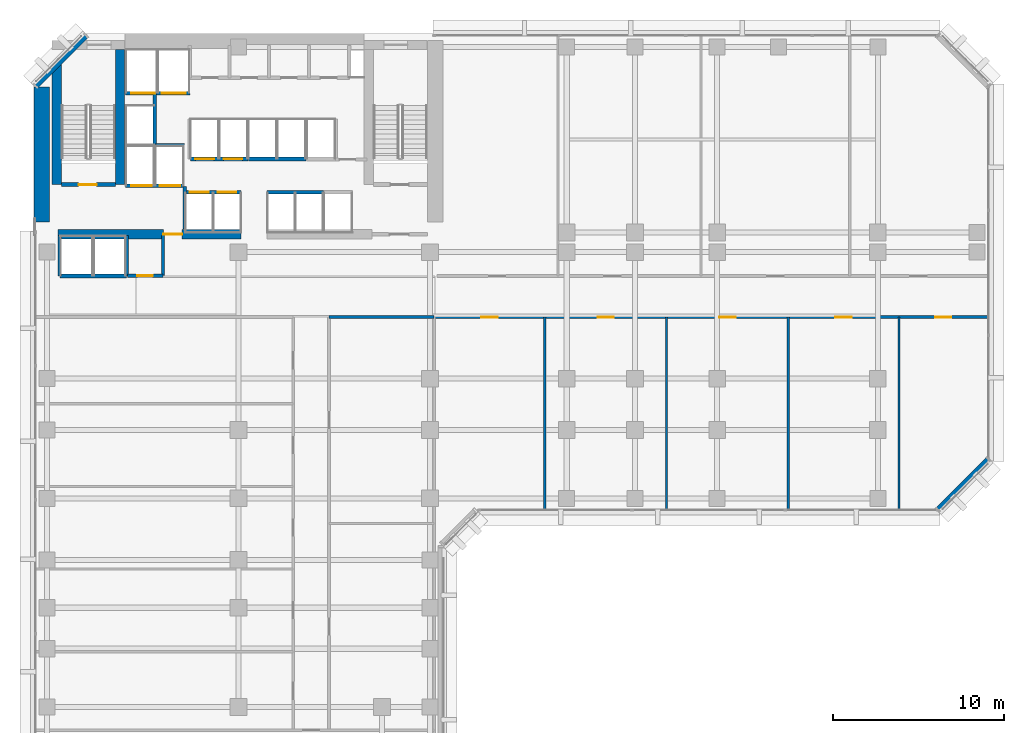
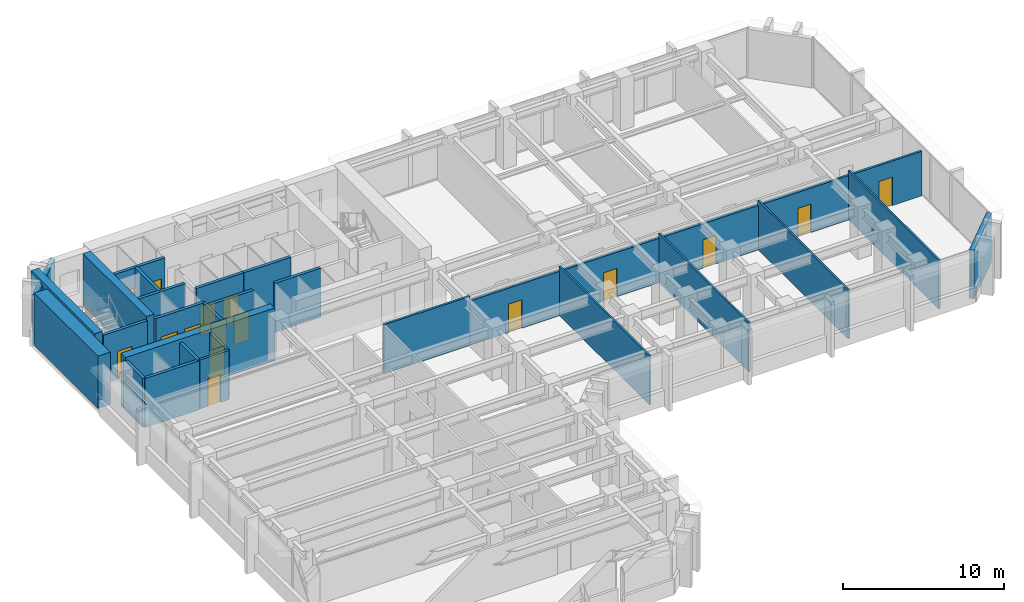
# One storey, part 7 of 14: 27 walls, 16 doors, 16 openings.
"""IFC4 building model written with IfcOpenShell, lengths in metres."""

from ifc_helpers import new_model, si_unit, direction, frame, frame_2d, origin, place, context, subcontext, project, spatial, rectangle, extrude, material, layer, layer_set, type_object, element, fill, save


model = new_model("IFC4")

# Units and contexts
model_context = context("Model", 3, precision=1e-05, world=origin(), true_north=direction((0.0, 1.0)))
body_context = subcontext(model_context, "Body", "Model", "MODEL_VIEW")
ifc_project = project(units=[si_unit("LENGTHUNIT", "METRE"), si_unit("AREAUNIT", "SQUARE_METRE"), si_unit("VOLUMEUNIT", "CUBIC_METRE"), si_unit("PLANEANGLEUNIT", "RADIAN"), si_unit("MASSUNIT", "GRAM", prefix="KILO")], contexts=[model_context])

# Site, building, storey
site_placement = place(None, origin())
site = spatial("IfcSite", under=ifc_project, at=site_placement, CompositionType="ELEMENT")
building_placement = place(site_placement, origin())
building = spatial("IfcBuilding", under=site, at=building_placement, Name="Kefirva Bronze Tower", CompositionType="ELEMENT")
storey_placement = place(building_placement, frame((0.0, 0.0, 66.0)))
storey = spatial("IfcBuildingStorey", under=building, at=storey_placement, Name="L15", CompositionType="ELEMENT", Elevation=66.0)

# Walls
ifc_material_1 = material(Name="Gypsum acoustic partition")
ifc_layer_1 = layer(ifc_material_1, 0.1298828125, Name="Gypsum acoustic partition")
ifc_layer_set_1 = layer_set([ifc_layer_1], Name="Gypsum acoustic partition")
wall_type_1 = type_object("IfcWallType", Name="Acoustic Office Partition 130mm", PredefinedType="PARTITIONING", material=ifc_layer_set_1)
for number, where, z_axis, x_axis, name in (
    (1, (29.922119140625, 18.18994140625, 0.0), (0.0, 0.0, 1.0), (0.0, 1.0, 0.0), "L15 Partition W-L15-ESD1"),
    (2, (37.041259765625, 18.18994140625, 0.0), (0.0, 0.0, 1.0), (0.0, 1.0, 0.0), "L15 Partition W-L15-ESD2"),
    (3, (44.160400390625, 18.18994140625, 0.0), (0.0, 0.0, 1.0), (0.0, 1.0, 0.0), "L15 Partition W-L15-ESD3"),
    (4, (50.63232421875, 18.18994140625, 0.0), (0.0, 0.0, 1.0), (0.0, 1.0, 0.0), "L15 Partition W-L15-ESD4"),
):
    element("IfcWall", number, at=place(storey_placement, frame(where, z_axis=z_axis, x_axis=x_axis)), inside=storey, type_object=wall_type_1, Name=name, PredefinedType="PARTITIONING", context=body_context, shape_type="SweptSolid", body=[
        extrude(rectangle(XDim=11.2099609375, YDim=0.1298828125, at=frame_2d((5.60498046875, 0.0))), origin(), (0.0, 0.0, 1.0), 3.7099609375),
    ])

# Wall, opening, door
ifc_material_2 = material(Name="Gypsum fireboard shaftwall")
ifc_layer_2 = layer(ifc_material_2, 0.219970703125, Name="Gypsum fireboard shaftwall")
ifc_layer_set_2 = layer_set([ifc_layer_2], Name="Gypsum fireboard shaftwall")
wall_type_2 = type_object("IfcWallType", Name="Fire-Rated Shaft Enclosure Wall 220mm", PredefinedType="PARTITIONING", material=ifc_layer_set_2)
wall_1_placement = place(storey_placement, frame((1.64990234375, 37.14990234375, 0.0), z_axis=(0.0, 0.0, 1.0), x_axis=(1.0, 0.0, 0.0)))
wall_1 = element("IfcWall", 5, at=wall_1_placement, inside=storey, type_object=wall_type_2, Name="L15 Partition W-L15-ST1S", PredefinedType="PARTITIONING", context=body_context, shape_type="SweptSolid", body=[
    extrude(rectangle(XDim=3.150146484375, YDim=0.219970703125, at=frame_2d((1.5751953125, 0.0))), origin(), (0.0, 0.0, 1.0), 3.7099609375),
])
opening_1_placement = place(wall_1_placement, frame((2.050048828125, 0.0, 0.0), z_axis=(0.0, 0.0, 1.0), x_axis=(-1.0, 0.0, 0.0)))
opening_1 = element("IfcOpeningElement", 6, at=opening_1_placement, cuts=wall_1, Name="Opening L15-D001", PredefinedType="OPENING", context=body_context, shape_type="SweptSolid", body=[
    extrude(rectangle(XDim=1.050048828125, YDim=2.14990234375, at=frame_2d((0.52490234375, 1.074951171875))), frame((0.0, 0.1201171875, 0.0), z_axis=(0.0, -1.0, 0.0), x_axis=(1.0, 0.0, 0.0)), (0.0, 0.0, 1.0), 0.239990234375),
])
ifc_material_3 = material(Name="Painted galvanized steel", Category="steel")
door_type_1 = type_object("IfcDoorType", Name="Fire Stair Enclosure Door 1050x2150 FD90S", OperationType="NOTDEFINED", PredefinedType="DOOR", material=ifc_material_3)
door_1_placement = place(opening_1_placement, origin())
door_1 = element("IfcDoor", 7, at=door_1_placement, inside=storey, type_object=door_type_1, Name="Door L15-D001", OperationType="SINGLE_SWING_LEFT", OverallHeight=2.14990234375, OverallWidth=1.050048828125, PredefinedType="DOOR", context=body_context, shape_type="SweptSolid", body=[
    extrude(rectangle(XDim=1.050048828125, YDim=2.14990234375, at=frame_2d((0.52490234375, 1.074951171875))), frame((0.0, 0.02490234375, 0.0), z_axis=(0.0, -1.0, 0.0), x_axis=(1.0, 0.0, 0.0)), (0.0, 0.0, 1.0), 0.050048828125),
])
fill(opening_1, door_1)

# Wall, openings, doors
wall_2_placement = place(storey_placement, frame((5.3798828125, 37.080078125, 0.0), z_axis=(0.0, 0.0, 1.0), x_axis=(1.0, 0.0, 0.0)))
wall_2 = element("IfcWall", 8, at=wall_2_placement, inside=storey, type_object=wall_type_2, Name="L15 Partition W-L15-FFS", PredefinedType="PARTITIONING", context=body_context, shape_type="SweptSolid", body=[
    extrude(rectangle(XDim=3.460205078125, YDim=0.219970703125, at=frame_2d((1.72998046875, 0.0))), origin(), (0.0, 0.0, 1.0), 3.7099609375),
])
opening_2_placement = place(wall_2_placement, frame((1.550048828125, 0.0, 0.0), z_axis=(0.0, 0.0, 1.0), x_axis=(-1.0, 0.0, 0.0)))
opening_2 = element("IfcOpeningElement", 9, at=opening_2_placement, cuts=wall_2, Name="Opening L15-LD-FF1", PredefinedType="OPENING", context=body_context, shape_type="SweptSolid", body=[
    extrude(rectangle(XDim=1.199951171875, YDim=2.199951171875, at=frame_2d((0.60009765625, 1.10009765625))), frame((0.0, 0.1201171875, 0.0), z_axis=(0.0, -1.0, 0.0), x_axis=(1.0, 0.0, 0.0)), (0.0, 0.0, 1.0), 0.239990234375),
])
opening_3_placement = place(wall_2_placement, frame((3.219970703125, 0.0, 0.0), z_axis=(0.0, 0.0, 1.0), x_axis=(-1.0, 0.0, 0.0)))
opening_3 = element("IfcOpeningElement", 10, at=opening_3_placement, cuts=wall_2, Name="Opening L15-LD-FF2", PredefinedType="OPENING", context=body_context, shape_type="SweptSolid", body=[
    extrude(rectangle(XDim=1.199951171875, YDim=2.199951171875, at=frame_2d((0.60009765625, 1.10009765625))), frame((0.0, 0.1201171875, 0.0), z_axis=(0.0, -1.0, 0.0), x_axis=(1.0, 0.0, 0.0)), (0.0, 0.0, 1.0), 0.239990234375),
])
ifc_material_4 = material(Name="Stainless steel 316", Category="steel")
door_type_2 = type_object("IfcDoorType", Name="Firefighting Lift Sliding Door 1200x2200", OperationType="SLIDING_TO_RIGHT", PredefinedType="DOOR", material=ifc_material_4)
door_2_placement = place(opening_2_placement, origin())
door_2 = element("IfcDoor", 11, at=door_2_placement, inside=storey, type_object=door_type_2, Name="Door L15-LD-FF1", OperationType="SLIDING_TO_RIGHT", OverallHeight=2.199951171875, OverallWidth=1.199951171875, PredefinedType="DOOR", context=body_context, shape_type="SweptSolid", body=[
    extrude(rectangle(XDim=1.199951171875, YDim=2.199951171875, at=frame_2d((0.60009765625, 1.10009765625))), frame((0.0, 0.02490234375, 0.0), z_axis=(0.0, -1.0, 0.0), x_axis=(1.0, 0.0, 0.0)), (0.0, 0.0, 1.0), 0.050048828125),
])
fill(opening_2, door_2)
door_3_placement = place(opening_3_placement, origin())
door_3 = element("IfcDoor", 12, at=door_3_placement, inside=storey, type_object=door_type_2, Name="Door L15-LD-FF2", OperationType="SLIDING_TO_RIGHT", OverallHeight=2.199951171875, OverallWidth=1.199951171875, PredefinedType="DOOR", context=body_context, shape_type="SweptSolid", body=[
    extrude(rectangle(XDim=1.199951171875, YDim=2.199951171875, at=frame_2d((0.60009765625, 1.10009765625))), frame((0.0, 0.02490234375, 0.0), z_axis=(0.0, -1.0, 0.0), x_axis=(1.0, 0.0, 0.0)), (0.0, 0.0, 1.0), 0.050048828125),
])
fill(opening_3, door_3)

# Wall
wall_3_placement = place(storey_placement, frame((5.3798828125, 39.449951171875, 0.0), z_axis=(0.0, 0.0, 1.0), x_axis=(1.0, 0.0, 0.0)))
element("IfcWall", 13, at=wall_3_placement, inside=storey, type_object=wall_type_2, Name="L15 Partition W-L15-FFN", PredefinedType="PARTITIONING", context=body_context, shape_type="SweptSolid", body=[
    extrude(rectangle(XDim=3.460205078125, YDim=0.219970703125, at=frame_2d((1.72998046875, 0.0))), origin(), (0.0, 0.0, 1.0), 3.7099609375),
])

# Wall, openings, doors
wall_4_placement = place(storey_placement, frame((5.3798828125, 42.5, 0.0), z_axis=(0.0, 0.0, 1.0), x_axis=(1.0, 0.0, 0.0)))
wall_4 = element("IfcWall", 14, at=wall_4_placement, inside=storey, type_object=wall_type_2, Name="L15 Partition W-L15-SVS", PredefinedType="PARTITIONING", context=body_context, shape_type="SweptSolid", body=[
    extrude(rectangle(XDim=3.77001953125, YDim=0.219970703125, at=frame_2d((1.885009765625, 0.0))), origin(), (0.0, 0.0, 1.0), 3.7099609375),
])
opening_4_placement = place(wall_4_placement, frame((1.75, 0.0, 0.0), z_axis=(0.0, 0.0, 1.0), x_axis=(-1.0, 0.0, 0.0)))
opening_4 = element("IfcOpeningElement", 15, at=opening_4_placement, cuts=wall_4, Name="Opening L15-LD-SV1", PredefinedType="OPENING", context=body_context, shape_type="SweptSolid", body=[
    extrude(rectangle(XDim=1.39990234375, YDim=2.199951171875, at=frame_2d((0.699951171875, 1.10009765625))), frame((0.0, 0.1201171875, 0.0), z_axis=(0.0, -1.0, 0.0), x_axis=(1.0, 0.0, 0.0)), (0.0, 0.0, 1.0), 0.239990234375),
])
opening_5_placement = place(wall_4_placement, frame((3.52978515625, 0.0, 0.0), z_axis=(0.0, 0.0, 1.0), x_axis=(-1.0, 0.0, 0.0)))
opening_5 = element("IfcOpeningElement", 16, at=opening_5_placement, cuts=wall_4, Name="Opening L15-LD-SV2", PredefinedType="OPENING", context=body_context, shape_type="SweptSolid", body=[
    extrude(rectangle(XDim=1.39990234375, YDim=2.199951171875, at=frame_2d((0.699951171875, 1.10009765625))), frame((0.0, 0.1201171875, 0.0), z_axis=(0.0, -1.0, 0.0), x_axis=(1.0, 0.0, 0.0)), (0.0, 0.0, 1.0), 0.239990234375),
])
door_type_3 = type_object("IfcDoorType", Name="Goods Lift Bi-Parting Sliding Door 1400x2200", OperationType="SLIDING_TO_LEFT", PredefinedType="DOOR", material=ifc_material_4)
door_4_placement = place(opening_4_placement, origin())
door_4 = element("IfcDoor", 17, at=door_4_placement, inside=storey, type_object=door_type_3, Name="Door L15-LD-SV1", OperationType="SLIDING_TO_LEFT", OverallHeight=2.199951171875, OverallWidth=1.39990234375, PredefinedType="DOOR", context=body_context, shape_type="SweptSolid", body=[
    extrude(rectangle(XDim=1.39990234375, YDim=2.199951171875, at=frame_2d((0.699951171875, 1.10009765625))), frame((0.0, 0.02490234375, 0.0), z_axis=(0.0, -1.0, 0.0), x_axis=(1.0, 0.0, 0.0)), (0.0, 0.0, 1.0), 0.050048828125),
])
fill(opening_4, door_4)
door_5_placement = place(opening_5_placement, origin())
door_5 = element("IfcDoor", 18, at=door_5_placement, inside=storey, type_object=door_type_3, Name="Door L15-LD-SV2", OperationType="SLIDING_TO_LEFT", OverallHeight=2.199951171875, OverallWidth=1.39990234375, PredefinedType="DOOR", context=body_context, shape_type="SweptSolid", body=[
    extrude(rectangle(XDim=1.39990234375, YDim=2.199951171875, at=frame_2d((0.699951171875, 1.10009765625))), frame((0.0, 0.02490234375, 0.0), z_axis=(0.0, -1.0, 0.0), x_axis=(1.0, 0.0, 0.0)), (0.0, 0.0, 1.0), 0.050048828125),
])
fill(opening_5, door_5)

# Walls
wall_5_placement = place(storey_placement, frame((7.10009765625, 39.52001953125, 0.0), z_axis=(0.0, 0.0, 1.0), x_axis=(0.0, 1.0, 0.0)))
element("IfcWall", 19, at=wall_5_placement, inside=storey, type_object=wall_type_2, Name="L15 Partition W-L15-HP3E", PredefinedType="PARTITIONING", context=body_context, shape_type="SweptSolid", body=[
    extrude(rectangle(XDim=2.929931640625, YDim=0.219970703125, at=frame_2d((1.46484375, 0.0))), origin(), (0.0, 0.0, 1.0), 3.7099609375),
])
wall_6_placement = place(storey_placement, frame((1.550048828125, 31.800048828125, 0.0), z_axis=(0.0, 0.0, 1.0), x_axis=(1.0, 0.0, 0.0)))
element("IfcWall", 20, at=wall_6_placement, inside=storey, type_object=wall_type_2, Name="L15 Partition W-L15-OBS", PredefinedType="PARTITIONING", context=body_context, shape_type="SweptSolid", body=[
    extrude(rectangle(XDim=3.89990234375, YDim=0.219970703125, at=frame_2d((1.949951171875, 0.0))), origin(), (0.0, 0.0, 1.0), 3.7099609375),
])
for number, where, z_axis, x_axis, name in (
    (21, (1.550048828125, 31.800048828125, 0.0), (0.0, 0.0, 1.0), (0.0, 1.0, 0.0), "L15 Partition W-L15-OBW"),
    (22, (5.449951171875, 31.800048828125, 0.0), (0.0, 0.0, 1.0), (0.0, 1.0, 0.0), "L15 Partition W-L15-OBE"),
):
    element("IfcWall", number, at=place(storey_placement, frame(where, z_axis=z_axis, x_axis=x_axis)), inside=storey, type_object=wall_type_2, Name=name, PredefinedType="PARTITIONING", context=body_context, shape_type="SweptSolid", body=[
        extrude(rectangle(XDim=2.3798828125, YDim=0.219970703125, at=frame_2d((1.18994140625, 0.0))), origin(), (0.0, 0.0, 1.0), 3.7099609375),
    ])

# Wall, openings, doors
wall_7_placement = place(storey_placement, frame((8.89990234375, 36.699951171875, 0.0), z_axis=(0.0, 0.0, 1.0), x_axis=(1.0, 0.0, 0.0)))
wall_7 = element("IfcWall", 23, at=wall_7_placement, inside=storey, type_object=wall_type_2, Name="L15 Partition W-L15-LPS", PredefinedType="PARTITIONING", context=body_context, shape_type="SweptSolid", body=[
    extrude(rectangle(XDim=3.260009765625, YDim=0.219970703125, at=frame_2d((1.6298828125, 0.0))), origin(), (0.0, 0.0, 1.0), 3.7099609375),
])
opening_6_placement = place(wall_7_placement, frame((0.260009765625, 0.0, 0.0)))
opening_6 = element("IfcOpeningElement", 24, at=opening_6_placement, cuts=wall_7, Name="Opening L15-LD-LP1", PredefinedType="OPENING", context=body_context, shape_type="SweptSolid", body=[
    extrude(rectangle(XDim=1.10009765625, YDim=2.199951171875, at=frame_2d((0.550048828125, 1.10009765625))), frame((0.0, 0.1201171875, 0.0), z_axis=(0.0, -1.0, 0.0), x_axis=(1.0, 0.0, 0.0)), (0.0, 0.0, 1.0), 0.239990234375),
])
opening_7_placement = place(wall_7_placement, frame((1.8798828125, 0.0, 0.0)))
opening_7 = element("IfcOpeningElement", 25, at=opening_7_placement, cuts=wall_7, Name="Opening L15-LD-LP2", PredefinedType="OPENING", context=body_context, shape_type="SweptSolid", body=[
    extrude(rectangle(XDim=1.10009765625, YDim=2.199951171875, at=frame_2d((0.550048828125, 1.10009765625))), frame((0.0, 0.1201171875, 0.0), z_axis=(0.0, -1.0, 0.0), x_axis=(1.0, 0.0, 0.0)), (0.0, 0.0, 1.0), 0.239990234375),
])
door_type_4 = type_object("IfcDoorType", Name="Passenger Lift Sliding Landing Door 1100x2200", OperationType="SLIDING_TO_LEFT", PredefinedType="DOOR", material=ifc_material_4)
door_6_placement = place(opening_6_placement, origin())
door_6 = element("IfcDoor", 26, at=door_6_placement, inside=storey, type_object=door_type_4, Name="Door L15-LD-LP1", OperationType="SLIDING_TO_LEFT", OverallHeight=2.199951171875, OverallWidth=1.10009765625, PredefinedType="DOOR", context=body_context, shape_type="SweptSolid", body=[
    extrude(rectangle(XDim=1.10009765625, YDim=2.199951171875, at=frame_2d((0.550048828125, 1.10009765625))), frame((0.0, 0.02490234375, 0.0), z_axis=(0.0, -1.0, 0.0), x_axis=(1.0, 0.0, 0.0)), (0.0, 0.0, 1.0), 0.050048828125),
])
fill(opening_6, door_6)
door_7_placement = place(opening_7_placement, origin())
door_7 = element("IfcDoor", 27, at=door_7_placement, inside=storey, type_object=door_type_4, Name="Door L15-LD-LP2", OperationType="SLIDING_TO_LEFT", OverallHeight=2.199951171875, OverallWidth=1.10009765625, PredefinedType="DOOR", context=body_context, shape_type="SweptSolid", body=[
    extrude(rectangle(XDim=1.10009765625, YDim=2.199951171875, at=frame_2d((0.550048828125, 1.10009765625))), frame((0.0, 0.02490234375, 0.0), z_axis=(0.0, -1.0, 0.0), x_axis=(1.0, 0.0, 0.0)), (0.0, 0.0, 1.0), 0.050048828125),
])
fill(opening_7, door_7)

wall_8_placement = place(storey_placement, frame((9.179931640625, 38.64990234375, 0.0), z_axis=(0.0, 0.0, 1.0), x_axis=(1.0, 0.0, 0.0)))
wall_8 = element("IfcWall", 28, at=wall_8_placement, inside=storey, type_object=wall_type_2, Name="L15 Partition W-L15-LPN", PredefinedType="PARTITIONING", context=body_context, shape_type="SweptSolid", body=[
    extrude(rectangle(XDim=3.380126953125, YDim=0.219970703125, at=frame_2d((1.68994140625, 0.0))), origin(), (0.0, 0.0, 1.0), 3.7099609375),
])
opening_8_placement = place(wall_8_placement, frame((0.300048828125, 0.0, 0.0)))
opening_8 = element("IfcOpeningElement", 29, at=opening_8_placement, cuts=wall_8, Name="Opening L15-LD-LP3", PredefinedType="OPENING", context=body_context, shape_type="SweptSolid", body=[
    extrude(rectangle(XDim=1.10009765625, YDim=2.199951171875, at=frame_2d((0.550048828125, 1.10009765625))), frame((0.0, 0.1201171875, 0.0), z_axis=(0.0, -1.0, 0.0), x_axis=(1.0, 0.0, 0.0)), (0.0, 0.0, 1.0), 0.239990234375),
])
opening_9_placement = place(wall_8_placement, frame((1.949951171875, 0.0, 0.0)))
opening_9 = element("IfcOpeningElement", 30, at=opening_9_placement, cuts=wall_8, Name="Opening L15-LD-LP4", PredefinedType="OPENING", context=body_context, shape_type="SweptSolid", body=[
    extrude(rectangle(XDim=1.10009765625, YDim=2.199951171875, at=frame_2d((0.550048828125, 1.10009765625))), frame((0.0, 0.1201171875, 0.0), z_axis=(0.0, -1.0, 0.0), x_axis=(1.0, 0.0, 0.0)), (0.0, 0.0, 1.0), 0.239990234375),
])
door_8_placement = place(opening_8_placement, origin())
door_8 = element("IfcDoor", 31, at=door_8_placement, inside=storey, type_object=door_type_4, Name="Door L15-LD-LP3", OperationType="SLIDING_TO_LEFT", OverallHeight=2.199951171875, OverallWidth=1.10009765625, PredefinedType="DOOR", context=body_context, shape_type="SweptSolid", body=[
    extrude(rectangle(XDim=1.10009765625, YDim=2.199951171875, at=frame_2d((0.550048828125, 1.10009765625))), frame((0.0, 0.02490234375, 0.0), z_axis=(0.0, -1.0, 0.0), x_axis=(1.0, 0.0, 0.0)), (0.0, 0.0, 1.0), 0.050048828125),
])
fill(opening_8, door_8)
door_9_placement = place(opening_9_placement, origin())
door_9 = element("IfcDoor", 32, at=door_9_placement, inside=storey, type_object=door_type_4, Name="Door L15-LD-LP4", OperationType="SLIDING_TO_LEFT", OverallHeight=2.199951171875, OverallWidth=1.10009765625, PredefinedType="DOOR", context=body_context, shape_type="SweptSolid", body=[
    extrude(rectangle(XDim=1.10009765625, YDim=2.199951171875, at=frame_2d((0.550048828125, 1.10009765625))), frame((0.0, 0.02490234375, 0.0), z_axis=(0.0, -1.0, 0.0), x_axis=(1.0, 0.0, 0.0)), (0.0, 0.0, 1.0), 0.050048828125),
])
fill(opening_9, door_9)

# Walls
wall_9_placement = place(storey_placement, frame((13.679931640625, 36.699951171875, 0.0), z_axis=(0.0, 0.0, 1.0), x_axis=(1.0, 0.0, 0.0)))
element("IfcWall", 33, at=wall_9_placement, inside=storey, type_object=wall_type_2, Name="L15 Partition W-L15-MPS", PredefinedType="PARTITIONING", context=body_context, shape_type="SweptSolid", body=[
    extrude(rectangle(XDim=3.280029296875, YDim=0.219970703125, at=frame_2d((1.64013671875, 0.0))), origin(), (0.0, 0.0, 1.0), 3.7099609375),
])
wall_10_placement = place(storey_placement, frame((12.580078125, 38.64990234375, 0.0), z_axis=(0.0, 0.0, 1.0), x_axis=(1.0, 0.0, 0.0)))
element("IfcWall", 34, at=wall_10_placement, inside=storey, type_object=wall_type_2, Name="L15 Partition W-L15-MPN", PredefinedType="PARTITIONING", context=body_context, shape_type="SweptSolid", body=[
    extrude(rectangle(XDim=3.3798828125, YDim=0.219970703125, at=frame_2d((1.68994140625, 0.0))), origin(), (0.0, 0.0, 1.0), 3.7099609375),
])
ifc_material_5 = material(Name="Gypsum fireboard barrier")
ifc_layer_3 = layer(ifc_material_5, 0.199951171875, Name="Gypsum fireboard barrier")
ifc_layer_set_3 = layer_set([ifc_layer_3], Name="Gypsum fireboard barrier")
wall_type_3 = type_object("IfcWallType", Name="Firefighting Lobby Barrier Wall 200mm", PredefinedType="PARTITIONING", material=ifc_layer_set_3)
wall_11_placement = place(storey_placement, frame((8.860107421875, 34.550048828125, 0.0), z_axis=(0.0, 0.0, 1.0), x_axis=(0.0, 1.0, 0.0)))
element("IfcWall", 35, at=wall_11_placement, inside=storey, type_object=wall_type_3, Name="L15 Partition W-L15-FFLE", PredefinedType="PARTITIONING", context=body_context, shape_type="SweptSolid", body=[
    extrude(rectangle(XDim=2.5, YDim=0.199951171875, at=frame_2d((1.25, 0.0))), origin(), (0.0, 0.0, 1.0), 3.7099609375),
])
ifc_material_6 = material(Name="Precast concrete C40/50", Category="concrete")
ifc_layer_4 = layer(ifc_material_6, 0.320068359375, Name="Precast concrete C40/50")
ifc_layer_set_4 = layer_set([ifc_layer_4], Name="Precast concrete C40/50")
wall_type_4 = type_object("IfcWallType", Name="Precast Insulated Exterior Wall 320mm", PredefinedType="SOLIDWALL", material=ifc_layer_set_4)
for number, where, z_axis, x_axis, name in (
    (36, (52.92578125, 18.152099609375, 0.0), (0.0, 0.0, 1.0), (0.707106781187, 0.707106781187, 0.0), "L15 Exterior Facade Wall 7"),
    (37, (3.07421875, 45.847900390625, 0.0), (0.0, 0.0, 1.0), (-0.707106781187, -0.707106781187, 0.0), "L15 Exterior Facade Wall 9"),
):
    element("IfcWall", number, at=place(storey_placement, frame(where, z_axis=z_axis, x_axis=x_axis)), inside=storey, type_object=wall_type_4, Name=name, PredefinedType="SOLIDWALL", context=body_context, shape_type="SweptSolid", body=[
        extrude(rectangle(XDim=4.132568359375, YDim=0.320068359375, at=frame_2d((2.06640625, 0.0))), origin(), (0.0, 0.0, 1.0), 3.7099609375),
    ])
ifc_layer_5 = layer(ifc_material_1, 0.159912109375, Name="Gypsum acoustic partition")
ifc_layer_set_5 = layer_set([ifc_layer_5], Name="Gypsum acoustic partition")
wall_type_5 = type_object("IfcWallType", Name="Protected Corridor Partition 160mm", PredefinedType="PARTITIONING", material=ifc_layer_set_5)
wall_12_placement = place(storey_placement, frame((17.300048828125, 29.39990234375, 0.0), z_axis=(0.0, 0.0, 1.0), x_axis=(1.0, 0.0, 0.0)))
element("IfcWall", 38, at=wall_12_placement, inside=storey, type_object=wall_type_5, Name="L15 Partition W-L15-NET", PredefinedType="PARTITIONING", context=body_context, shape_type="SweptSolid", body=[
    extrude(rectangle(XDim=6.14990234375, YDim=0.159912109375, at=frame_2d((3.074951171875, 0.0))), origin(), (0.0, 0.0, 1.0), 3.7099609375),
])

# Wall, openings, doors
wall_13_placement = place(storey_placement, frame((23.449951171875, 29.39990234375, 0.0), z_axis=(0.0, 0.0, 1.0), x_axis=(1.0, 0.0, 0.0)))
wall_13 = element("IfcWall", 39, at=wall_13_placement, inside=storey, type_object=wall_type_5, Name="L15 Partition W-L15-EWS", PredefinedType="PARTITIONING", context=body_context, shape_type="SweptSolid", body=[
    extrude(rectangle(XDim=32.360107421875, YDim=0.159912109375, at=frame_2d((16.18017578125, 0.0))), origin(), (0.0, 0.0, 1.0), 3.364990234375),
])
opening_10_placement = place(wall_13_placement, frame((3.7109375, 0.0, 0.0), z_axis=(0.0, 0.0, 1.0), x_axis=(-1.0, 0.0, 0.0)))
opening_10 = element("IfcOpeningElement", 40, at=opening_10_placement, cuts=wall_13, Name="Opening L15-D-ES1", PredefinedType="OPENING", context=body_context, shape_type="SweptSolid", body=[
    extrude(rectangle(XDim=0.949951171875, YDim=2.14990234375, at=frame_2d((0.47509765625, 1.074951171875))), frame((0.0, 0.08984375, 0.0), z_axis=(0.0, -1.0, 0.0), x_axis=(1.0, 0.0, 0.0)), (0.0, 0.0, 1.0), 0.179931640625),
])
opening_11_placement = place(wall_13_placement, frame((10.506591796875, 0.0, 0.0), z_axis=(0.0, 0.0, 1.0), x_axis=(-1.0, 0.0, 0.0)))
opening_11 = element("IfcOpeningElement", 41, at=opening_11_placement, cuts=wall_13, Name="Opening L15-D-ES2", PredefinedType="OPENING", context=body_context, shape_type="SweptSolid", body=[
    extrude(rectangle(XDim=0.949951171875, YDim=2.14990234375, at=frame_2d((0.47509765625, 1.074951171875))), frame((0.0, 0.08984375, 0.0), z_axis=(0.0, -1.0, 0.0), x_axis=(1.0, 0.0, 0.0)), (0.0, 0.0, 1.0), 0.179931640625),
])
opening_12_placement = place(wall_13_placement, frame((17.625732421875, 0.0, 0.0), z_axis=(0.0, 0.0, 1.0), x_axis=(-1.0, 0.0, 0.0)))
opening_12 = element("IfcOpeningElement", 42, at=opening_12_placement, cuts=wall_13, Name="Opening L15-D-ES3", PredefinedType="OPENING", context=body_context, shape_type="SweptSolid", body=[
    extrude(rectangle(XDim=0.949951171875, YDim=2.14990234375, at=frame_2d((0.47509765625, 1.074951171875))), frame((0.0, 0.08984375, 0.0), z_axis=(0.0, -1.0, 0.0), x_axis=(1.0, 0.0, 0.0)), (0.0, 0.0, 1.0), 0.179931640625),
])
opening_13_placement = place(wall_13_placement, frame((24.42138671875, 0.0, 0.0), z_axis=(0.0, 0.0, 1.0), x_axis=(-1.0, 0.0, 0.0)))
opening_13 = element("IfcOpeningElement", 43, at=opening_13_placement, cuts=wall_13, Name="Opening L15-D-ES4", PredefinedType="OPENING", context=body_context, shape_type="SweptSolid", body=[
    extrude(rectangle(XDim=0.949951171875, YDim=2.14990234375, at=frame_2d((0.47509765625, 1.074951171875))), frame((0.0, 0.08984375, 0.0), z_axis=(0.0, -1.0, 0.0), x_axis=(1.0, 0.0, 0.0)), (0.0, 0.0, 1.0), 0.179931640625),
])
opening_14_placement = place(wall_13_placement, frame((30.24609375, 0.0, 0.0), z_axis=(0.0, 0.0, 1.0), x_axis=(-1.0, 0.0, 0.0)))
opening_14 = element("IfcOpeningElement", 44, at=opening_14_placement, cuts=wall_13, Name="Opening L15-D-ES5", PredefinedType="OPENING", context=body_context, shape_type="SweptSolid", body=[
    extrude(rectangle(XDim=0.949951171875, YDim=2.14990234375, at=frame_2d((0.47509765625, 1.074951171875))), frame((0.0, 0.08984375, 0.0), z_axis=(0.0, -1.0, 0.0), x_axis=(1.0, 0.0, 0.0)), (0.0, 0.0, 1.0), 0.179931640625),
])
ifc_material_7 = material(Name="Acoustic hardwood oak", Category="wood")
door_type_5 = type_object("IfcDoorType", Name="Office & Meeting Room Door 950x2150", OperationType="NOTDEFINED", PredefinedType="DOOR", material=ifc_material_7)
door_10_placement = place(opening_10_placement, origin())
door_10 = element("IfcDoor", 45, at=door_10_placement, inside=storey, type_object=door_type_5, Name="Door L15-D-ES1", OperationType="SINGLE_SWING_LEFT", OverallHeight=2.14990234375, OverallWidth=0.949951171875, PredefinedType="DOOR", context=body_context, shape_type="SweptSolid", body=[
    extrude(rectangle(XDim=0.949951171875, YDim=2.14990234375, at=frame_2d((0.47509765625, 1.074951171875))), frame((0.0, 0.02490234375, 0.0), z_axis=(0.0, -1.0, 0.0), x_axis=(1.0, 0.0, 0.0)), (0.0, 0.0, 1.0), 0.050048828125),
])
fill(opening_10, door_10)
door_11_placement = place(opening_11_placement, origin())
door_11 = element("IfcDoor", 46, at=door_11_placement, inside=storey, type_object=door_type_5, Name="Door L15-D-ES2", OperationType="SINGLE_SWING_RIGHT", OverallHeight=2.14990234375, OverallWidth=0.949951171875, PredefinedType="DOOR", context=body_context, shape_type="SweptSolid", body=[
    extrude(rectangle(XDim=0.949951171875, YDim=2.14990234375, at=frame_2d((0.47509765625, 1.074951171875))), frame((0.0, 0.02490234375, 0.0), z_axis=(0.0, -1.0, 0.0), x_axis=(1.0, 0.0, 0.0)), (0.0, 0.0, 1.0), 0.050048828125),
])
fill(opening_11, door_11)
door_12_placement = place(opening_12_placement, origin())
door_12 = element("IfcDoor", 47, at=door_12_placement, inside=storey, type_object=door_type_5, Name="Door L15-D-ES3", OperationType="SINGLE_SWING_LEFT", OverallHeight=2.14990234375, OverallWidth=0.949951171875, PredefinedType="DOOR", context=body_context, shape_type="SweptSolid", body=[
    extrude(rectangle(XDim=0.949951171875, YDim=2.14990234375, at=frame_2d((0.47509765625, 1.074951171875))), frame((0.0, 0.02490234375, 0.0), z_axis=(0.0, -1.0, 0.0), x_axis=(1.0, 0.0, 0.0)), (0.0, 0.0, 1.0), 0.050048828125),
])
fill(opening_12, door_12)
door_13_placement = place(opening_13_placement, origin())
door_13 = element("IfcDoor", 48, at=door_13_placement, inside=storey, type_object=door_type_5, Name="Door L15-D-ES4", OperationType="SINGLE_SWING_RIGHT", OverallHeight=2.14990234375, OverallWidth=0.949951171875, PredefinedType="DOOR", context=body_context, shape_type="SweptSolid", body=[
    extrude(rectangle(XDim=0.949951171875, YDim=2.14990234375, at=frame_2d((0.47509765625, 1.074951171875))), frame((0.0, 0.02490234375, 0.0), z_axis=(0.0, -1.0, 0.0), x_axis=(1.0, 0.0, 0.0)), (0.0, 0.0, 1.0), 0.050048828125),
])
fill(opening_13, door_13)
door_14_placement = place(opening_14_placement, origin())
door_14 = element("IfcDoor", 49, at=door_14_placement, inside=storey, type_object=door_type_5, Name="Door L15-D-ES5", OperationType="SINGLE_SWING_LEFT", OverallHeight=2.14990234375, OverallWidth=0.949951171875, PredefinedType="DOOR", context=body_context, shape_type="SweptSolid", body=[
    extrude(rectangle(XDim=0.949951171875, YDim=2.14990234375, at=frame_2d((0.47509765625, 1.074951171875))), frame((0.0, 0.02490234375, 0.0), z_axis=(0.0, -1.0, 0.0), x_axis=(1.0, 0.0, 0.0)), (0.0, 0.0, 1.0), 0.050048828125),
])
fill(opening_14, door_14)

# Walls
ifc_material_8 = material(Name="Concrete C60/75", Category="concrete")
ifc_layer_6 = layer(ifc_material_8, 0.89990234375, Name="Concrete C60/75")
ifc_layer_set_6 = layer_set([ifc_layer_6], Name="Concrete C60/75")
wall_type_6 = type_object("IfcWallType", Name="RC Rear Core Exterior Wall 900mm", PredefinedType="SHEAR", material=ifc_layer_set_6)
wall_14_placement = place(storey_placement, frame((0.5, 34.949951171875, 0.0), z_axis=(0.0, 0.0, 1.0), x_axis=(0.0, 1.0, 0.0)))
element("IfcWall", 50, at=wall_14_placement, inside=storey, type_object=wall_type_6, Name="L15 Rear Core West Shear Wall", PredefinedType="SHEAR", context=body_context, shape_type="SweptSolid", body=[
    extrude(rectangle(XDim=7.900146484375, YDim=0.89990234375, at=frame_2d((3.9501953125, 0.0))), origin(), (0.0, 0.0, 1.0), 3.9599609375),
])
ifc_material_9 = material(Name="Concrete C50/60", Category="concrete")
ifc_layer_7 = layer(ifc_material_9, 0.550048828125, Name="Concrete C50/60")
ifc_layer_set_7 = layer_set([ifc_layer_7], Name="Concrete C50/60")
wall_type_7 = type_object("IfcWallType", Name="RC Rear Core Interior Wall 550mm", PredefinedType="SHEAR", material=ifc_layer_set_7)
for number, where, z_axis, x_axis, name in (
    (51, (1.3701171875, 37.14990234375, 0.0), (0.0, 0.0, 1.0), (0.0, 1.0, 0.0), "L15 Stair 1 West Shear Wall"),
    (52, (5.070068359375, 37.14990234375, 0.0), (0.0, 0.0, 1.0), (0.0, 1.0, 0.0), "L15 Stair 1 East Shear Wall"),
):
    element("IfcWall", number, at=place(storey_placement, frame(where, z_axis=z_axis, x_axis=x_axis)), inside=storey, type_object=wall_type_7, Name=name, PredefinedType="SHEAR", context=body_context, shape_type="SweptSolid", body=[
        extrude(rectangle(XDim=7.89013671875, YDim=0.550048828125, at=frame_2d((3.945068359375, 0.0))), origin(), (0.0, 0.0, 1.0), 3.9599609375),
    ])

# Wall, opening, door
ifc_layer_8 = layer(ifc_material_8, 0.89990234375, Name="Concrete C60/75")
ifc_layer_set_8 = layer_set([ifc_layer_8], Name="Concrete C60/75")
wall_type_8 = type_object("IfcWallType", Name="RC Rear Core Interior Wall 900mm", PredefinedType="SHEAR", material=ifc_layer_set_8)
wall_15_placement = place(storey_placement, frame((1.449951171875, 34.25, 0.0), z_axis=(0.0, 0.0, 1.0), x_axis=(1.0, 0.0, 0.0)))
wall_15 = element("IfcWall", 53, at=wall_15_placement, inside=storey, type_object=wall_type_8, Name="L15 Rear Core South-West Shear Wall", PredefinedType="SHEAR", context=body_context, shape_type="SweptSolid", body=[
    extrude(rectangle(XDim=10.7099609375, YDim=0.550048828125, at=frame_2d((5.35498046875, 0.0))), origin(), (0.0, 0.0, 1.0), 3.9599609375),
])
opening_15_placement = place(wall_15_placement, frame((7.25, 0.0, 0.0), z_axis=(0.0, 0.0, 1.0), x_axis=(-1.0, 0.0, 0.0)))
opening_15 = element("IfcOpeningElement", 54, at=opening_15_placement, cuts=wall_15, Name="Opening L15-D002", PredefinedType="OPENING", context=body_context, shape_type="SweptSolid", body=[
    extrude(rectangle(XDim=1.10009765625, YDim=2.14990234375, at=frame_2d((0.550048828125, 1.074951171875))), frame((0.0, 0.28515625, 0.0), z_axis=(0.0, -1.0, 0.0), x_axis=(1.0, 0.0, 0.0)), (0.0, 0.0, 1.0), 0.570068359375),
])
door_type_6 = type_object("IfcDoorType", Name="Firefighting Lobby Smoke Door 1100x2150 FD60S", OperationType="NOTDEFINED", PredefinedType="DOOR", material=ifc_material_3)
door_15_placement = place(opening_15_placement, origin())
door_15 = element("IfcDoor", 55, at=door_15_placement, inside=storey, type_object=door_type_6, Name="Door L15-D002", OperationType="SINGLE_SWING_RIGHT", OverallHeight=2.14990234375, OverallWidth=1.10009765625, PredefinedType="DOOR", context=body_context, shape_type="SweptSolid", body=[
    extrude(rectangle(XDim=1.10009765625, YDim=2.14990234375, at=frame_2d((0.550048828125, 1.074951171875))), frame((0.0, 0.02490234375, 0.0), z_axis=(0.0, -1.0, 0.0), x_axis=(1.0, 0.0, 0.0)), (0.0, 0.0, 1.0), 0.050048828125),
])
fill(opening_15, door_15)

ifc_material_10 = material(Name="Moisture-resistant partition")
ifc_layer_9 = layer(ifc_material_10, 0.179931640625, Name="Moisture-resistant partition")
ifc_layer_set_9 = layer_set([ifc_layer_9], Name="Moisture-resistant partition")
wall_type_9 = type_object("IfcWallType", Name="Sanitary Plumbing Chase Wall 180mm", PredefinedType="PLUMBINGWALL", material=ifc_layer_set_9)
wall_16_placement = place(storey_placement, frame((5.5, 31.820068359375, 0.0), z_axis=(0.0, 0.0, 1.0), x_axis=(1.0, 0.0, 0.0)))
wall_16 = element("IfcWall", 56, at=wall_16_placement, inside=storey, type_object=wall_type_9, Name="L15 Partition W-L15-TCS", PredefinedType="PLUMBINGWALL", context=body_context, shape_type="SweptSolid", body=[
    extrude(rectangle(XDim=2.080078125, YDim=0.179931640625, at=frame_2d((1.0400390625, 0.0))), origin(), (0.0, 0.0, 1.0), 3.7099609375),
])
opening_16_placement = place(wall_16_placement, frame((1.47998046875, 0.0, 0.0), z_axis=(0.0, 0.0, 1.0), x_axis=(-1.0, 0.0, 0.0)))
opening_16 = element("IfcOpeningElement", 57, at=opening_16_placement, cuts=wall_16, Name="Opening L15-D-TCL1", PredefinedType="OPENING", context=body_context, shape_type="SweptSolid", body=[
    extrude(rectangle(XDim=0.89990234375, YDim=2.10009765625, at=frame_2d((0.449951171875, 1.050048828125))), frame((0.0, 0.10009765625, 0.0), z_axis=(0.0, -1.0, 0.0), x_axis=(1.0, 0.0, 0.0)), (0.0, 0.0, 1.0), 0.199951171875),
])
door_type_7 = type_object("IfcDoorType", Name="Telecom & Meter Fire Door 900x2100 FD60S", OperationType="NOTDEFINED", PredefinedType="DOOR", material=ifc_material_3)
door_16_placement = place(opening_16_placement, origin())
door_16 = element("IfcDoor", 58, at=door_16_placement, inside=storey, type_object=door_type_7, Name="Door L15-D-TCL1", OperationType="SINGLE_SWING_RIGHT", OverallHeight=2.10009765625, OverallWidth=0.89990234375, PredefinedType="DOOR", context=body_context, shape_type="SweptSolid", body=[
    extrude(rectangle(XDim=0.89990234375, YDim=2.10009765625, at=frame_2d((0.449951171875, 1.050048828125))), frame((0.0, 0.02490234375, 0.0), z_axis=(0.0, -1.0, 0.0), x_axis=(1.0, 0.0, 0.0)), (0.0, 0.0, 1.0), 0.050048828125),
])
fill(opening_16, door_16)

# Wall
wall_17_placement = place(storey_placement, frame((7.580078125, 31.820068359375, 0.0), z_axis=(0.0, 0.0, 1.0), x_axis=(0.0, 1.0, 0.0)))
element("IfcWall", 59, at=wall_17_placement, inside=storey, type_object=wall_type_9, Name="L15 Partition W-L15-TCE", PredefinedType="PLUMBINGWALL", context=body_context, shape_type="SweptSolid", body=[
    extrude(rectangle(XDim=2.35986328125, YDim=0.179931640625, at=frame_2d((1.179931640625, 0.0))), origin(), (0.0, 0.0, 1.0), 3.7099609375),
])

save(model, "model.ifc")
